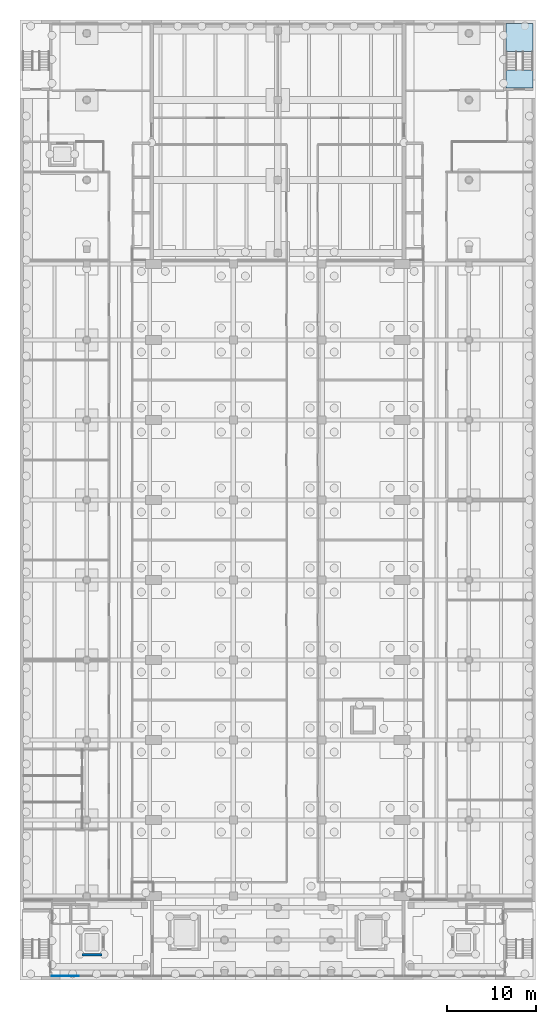
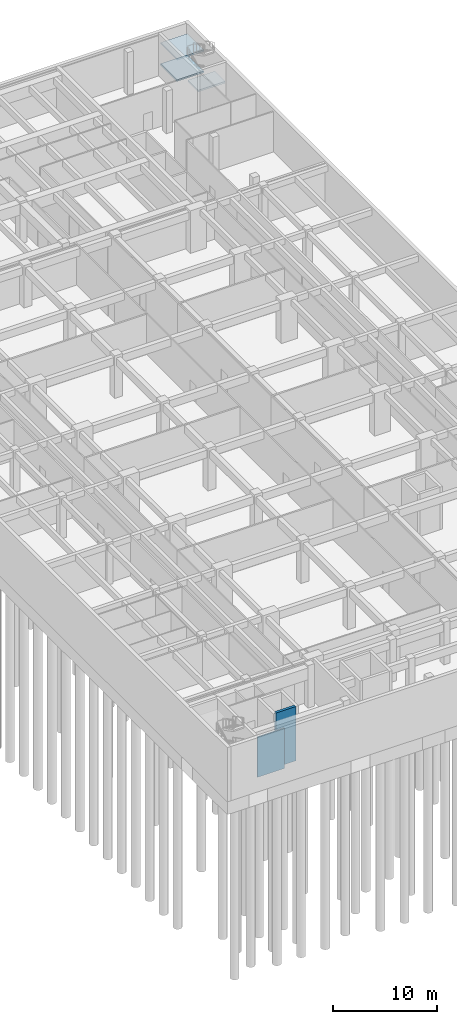
# One storey, part 7 of 19: 3 slabs, 2 walls, 1 element without a shape of its own.
"""IFC4 building model written with IfcOpenShell, lengths in metres."""

import ifcopenshell
import ifcopenshell.guid

model = None  # the IFC model being written
_history = None  # IfcOwnerHistory: only IFC2X3 demands one
_inside = {}  # id of a spatial element -> (the spatial element, [elements in it])
_under = {}  # id of a project, library or spatial element -> (it, [spatial elements below it])
_declared = {}  # id of a project -> (the project, [libraries it declares])
_typed = {}  # id of a type object -> (the type object, [elements of that type])
_made_of = {}  # id of a material, layer set ... -> (it, [elements and type objects made of it])


def new_model(schema):
    """Start an empty IFC model of exactly this schema.

    Asked for "IFC4X3", IfcOpenShell would pick the latest addendum, in which some entities
    have other attributes; the version numbers below select the first issue.
    IFC2X3 requires an IfcOwnerHistory on every rooted entity: one is made here for all.
    """
    global model, _history
    if schema == "IFC4X3":
        model = ifcopenshell.file(schema_version=(4, 3, 0, 0))
    else:
        model = ifcopenshell.file(schema=schema)
    _inside.clear()
    _under.clear()
    _declared.clear()
    _typed.clear()
    _made_of.clear()
    _history = None
    if model.schema == "IFC2X3":
        org = make("IfcOrganization", Name="unknown")
        user = make(
            "IfcPersonAndOrganization",
            ThePerson=make("IfcPerson", FamilyName="unknown"),
            TheOrganization=org,
        )
        app = make(
            "IfcApplication",
            ApplicationDeveloper=org,
            Version="unknown",
            ApplicationFullName="unknown",
            ApplicationIdentifier="unknown",
        )
        _history = make(
            "IfcOwnerHistory",
            OwningUser=user,
            OwningApplication=app,
            ChangeAction="ADDED",
            CreationDate=0,
        )
    return model


def make(cls, **values):
    """One entity of the class cls with the attributes given. An attribute that is None is left unset."""
    return model.create_entity(
        cls, **{name: value for name, value in values.items() if value is not None}
    )


def rooted(cls, **values):
    """An entity with a GlobalId (a new one), such as an element, a storey or a relation."""
    return make(cls, GlobalId=ifcopenshell.guid.new(), OwnerHistory=_history, **values)


def si_unit(unit_type, name, prefix=None):
    """IfcSIUnit, for example si_unit("LENGTHUNIT", "METRE", prefix="MILLI")."""
    return make("IfcSIUnit", UnitType=unit_type, Prefix=prefix, Name=name)


def assignment(units):
    """IfcUnitAssignment: the units of a project."""
    return None if units is None else make("IfcUnitAssignment", Units=units)


def point(xyz):
    """IfcCartesianPoint."""
    return None if xyz is None else make("IfcCartesianPoint", Coordinates=xyz)


def direction(xyz):
    """IfcDirection."""
    return None if xyz is None else make("IfcDirection", DirectionRatios=xyz)


def frame(location, z_axis=None, x_axis=None):
    """IfcAxis2Placement3D, a coordinate frame: its origin and axes. An axis left out is left unset."""
    return make(
        "IfcAxis2Placement3D",
        Location=point(location),
        Axis=direction(z_axis),
        RefDirection=direction(x_axis),
    )


def frame_2d(location, x_axis=None):
    """IfcAxis2Placement2D, a coordinate frame in the plane: its origin and x axis."""
    return make(
        "IfcAxis2Placement2D", Location=point(location), RefDirection=direction(x_axis)
    )


def origin():
    """The frame at (0, 0, 0) with its axes left unset."""
    return frame((0.0, 0.0, 0.0))


def place(relative_to, where):
    """IfcLocalPlacement: puts the frame where relative to a parent placement (None: the world)."""
    return make(
        "IfcLocalPlacement", PlacementRelTo=relative_to, RelativePlacement=where
    )


def context(
    kind, dimensions, precision=None, world=None, true_north=None, identifier=None
):
    """IfcGeometricRepresentationContext, for example the 3D "Model" context."""
    return make(
        "IfcGeometricRepresentationContext",
        ContextIdentifier=identifier,
        ContextType=kind,
        CoordinateSpaceDimension=dimensions,
        Precision=precision,
        WorldCoordinateSystem=world,
        TrueNorth=true_north,
    )


def subcontext(parent, identifier, kind, view, scale=None):
    """IfcGeometricRepresentationSubContext, for example "Body" below "Model"."""
    return make(
        "IfcGeometricRepresentationSubContext",
        ContextIdentifier=identifier,
        ContextType=kind,
        ParentContext=parent,
        TargetScale=scale,
        TargetView=view,
    )


def project(units=None, contexts=None):
    """IfcProject with its units and contexts."""
    return rooted(
        "IfcProject",
        Name="project",
        RepresentationContexts=contexts,
        UnitsInContext=assignment(units),
    )


def spatial(cls, under=None, at=None, **own):
    """A site, building, storey or space (cls), placed at a placement, below another one or the project."""
    s = rooted(cls, ObjectPlacement=at, **own)
    if under is not None:
        _under.setdefault(under.id(), (under, []))[1].append(s)
    return s


def polyline(points):
    """IfcPolyline through the points."""
    return make("IfcPolyline", Points=[point(p) for p in points])


def profile(cls, at=None, kind="AREA", **sizes):
    """A parametric profile (cls). Its sizes go by their IFC names, for example OverallWidth=200.0."""
    return make(cls, ProfileType=kind, Position=at, **sizes)


def rectangle(**sizes):
    """IfcRectangleProfileDef."""
    return profile("IfcRectangleProfileDef", **sizes)


def outline(outer, holes=None, kind="AREA"):
    """IfcArbitraryClosedProfileDef: a profile drawn as a closed curve; with holes, ...WithVoids."""
    if holes is None:
        return make("IfcArbitraryClosedProfileDef", ProfileType=kind, OuterCurve=outer)
    return make(
        "IfcArbitraryProfileDefWithVoids",
        ProfileType=kind,
        OuterCurve=outer,
        InnerCurves=holes,
    )


def extrude(swept, where, along, depth):
    """IfcExtrudedAreaSolid: the profile swept, set in the frame where, extruded along a direction by depth."""
    return make(
        "IfcExtrudedAreaSolid",
        SweptArea=swept,
        Position=where,
        ExtrudedDirection=direction(along),
        Depth=depth,
    )


def shape(context_of_items, identifier, shape_type, items):
    """IfcShapeRepresentation: the items that make up one representation, for example the "Body"."""
    return make(
        "IfcShapeRepresentation",
        ContextOfItems=context_of_items,
        RepresentationIdentifier=identifier,
        RepresentationType=shape_type,
        Items=items,
    )


def material(Name=None, Category=None):
    """IfcMaterial."""
    return make("IfcMaterial", Name=Name, Category=Category)


def layer(
    of_material, thickness, ventilated=None, Name=None, Category=None, Priority=None
):
    """IfcMaterialLayer: one layer of a wall or slab, of a material (None: an air gap)."""
    return make(
        "IfcMaterialLayer",
        Material=of_material,
        LayerThickness=thickness,
        IsVentilated=ventilated,
        Name=Name,
        Category=Category,
        Priority=Priority,
    )


def layer_set(layers, Name=None):
    """IfcMaterialLayerSet."""
    return make("IfcMaterialLayerSet", MaterialLayers=layers, LayerSetName=Name)


def made_of(thing, what):
    """Note that an element or type object is made of a material, layer set ...; save() writes the relation."""
    if what is not None:
        _made_of.setdefault(what.id(), (what, []))[1].append(thing)
    return thing


def type_object(cls, material=None, **own):
    """A type object (cls), such as IfcWallType, which elements share."""
    return made_of(rooted(cls, **own), material)


def element(
    cls,
    number,
    at=None,
    inside=None,
    cuts=None,
    type_object=None,
    material=None,
    context=None,
    identifier="Body",
    shape_type=None,
    held_by="IfcProductDefinitionShape",
    body=None,
    shapes=None,
    **own,
):
    """One element of the class cls, such as IfcWall. Its Tag is "e" and its number.

    at: its placement. inside: the storey or other place that contains it. cuts: it is an
    opening in that element (IfcRelVoidsElement). A single representation is given by context,
    identifier, shape_type and body (its items); several are given by shapes. held_by: the class
    of the entity that holds the representations. save() writes the other relations.
    """
    e = rooted(cls, Tag="e%d" % number, ObjectPlacement=at, **own)
    if body is not None:
        shapes = [shape(context, identifier, shape_type, body)]
    if shapes is not None:
        e.Representation = make(held_by, Representations=shapes)
    if inside is not None:
        _inside.setdefault(inside.id(), (inside, []))[1].append(e)
    if cuts is not None:
        rooted(
            "IfcRelVoidsElement", RelatingBuildingElement=cuts, RelatedOpeningElement=e
        )
    if type_object is not None:
        _typed.setdefault(type_object.id(), (type_object, []))[1].append(e)
    return made_of(e, material)


def aggregate(whole, parts):
    """IfcRelAggregates: a whole, such as a stair, and the parts it consists of."""
    return rooted("IfcRelAggregates", RelatingObject=whole, RelatedObjects=parts)


def save(model, path):
    """Write the relations noted so far, then the file.

    IfcRelAggregates (storeys below a building ...), IfcRelContainedInSpatialStructure (elements
    in a storey), IfcRelDefinesByType, IfcRelAssociatesMaterial and IfcRelDeclares: one each for
    every whole, place, type object, material and project.
    """
    for whole, parts in _under.values():
        aggregate(whole, parts)
    for where, things in _inside.values():
        rooted(
            "IfcRelContainedInSpatialStructure",
            RelatedElements=things,
            RelatingStructure=where,
        )
    for kind, things in _typed.values():
        rooted("IfcRelDefinesByType", RelatedObjects=things, RelatingType=kind)
    for what, things in _made_of.values():
        rooted("IfcRelAssociatesMaterial", RelatedObjects=things, RelatingMaterial=what)
    for by, libraries in _declared.values():
        rooted("IfcRelDeclares", RelatingContext=by, RelatedDefinitions=libraries)
    model.write(path)


model = new_model("IFC4")

# Units and contexts
model_context = context("Model", 3, precision=1e-05, world=origin(), true_north=direction((0.0, 1.0)))
body_context = subcontext(model_context, "Body", "Model", "MODEL_VIEW")
ifc_project = project(units=[si_unit("LENGTHUNIT", "METRE"), si_unit("AREAUNIT", "SQUARE_METRE"), si_unit("VOLUMEUNIT", "CUBIC_METRE"), si_unit("PLANEANGLEUNIT", "RADIAN"), si_unit("MASSUNIT", "GRAM", prefix="KILO")], contexts=[model_context])

# Site, building, storey
site_placement = place(None, origin())
site = spatial("IfcSite", under=ifc_project, at=site_placement, CompositionType="ELEMENT")
building_placement = place(site_placement, origin())
building = spatial("IfcBuilding", under=site, at=building_placement, Name="Elmora Arch Market Hall", CompositionType="ELEMENT")
storey_placement = place(building_placement, frame((0.0, 0.0, -10.0)))
storey = spatial("IfcBuildingStorey", under=building, at=storey_placement, Name="B1", CompositionType="ELEMENT", Elevation=-10.0)

# Stair, slabs
ifc_material_1 = material(Name="Concrete C40/50", Category="concrete")
stair_type = type_object("IfcStairType", Name="Exit stair 1200", PredefinedType="TWO_STRAIGHT_RUN_STAIR", material=ifc_material_1)
stair_placement = place(storey_placement, origin())
stair = element("IfcStair", 1, at=stair_placement, inside=storey, type_object=stair_type, Name="Stair ST-E B1", PredefinedType="TWO_STRAIGHT_RUN_STAIR")
ifc_material_2 = material(Name="Concrete C32/40", Category="concrete")
ifc_layer_1 = layer(ifc_material_2, 0.199951171875)
ifc_layer_set_1 = layer_set([ifc_layer_1], Name="Concrete C32/40")
slab_type = type_object("IfcSlabType", Name="Stair landing 200", PredefinedType="LANDING", material=ifc_layer_set_1)
slab_1_placement = place(storey_placement, frame((0.0, 0.0, 1.050048828125)))
slab_1 = element("IfcSlab", 2, at=slab_1_placement, type_object=slab_type, Name="Stair ST-E B1 landing 1", PredefinedType="LANDING", context=body_context, shape_type="SweptSolid", body=[
    extrude(outline(polyline([(54.699951171875, 122.449951171875), (57.699951171875, 122.449951171875), (57.699951171875, 125.60009765625), (54.699951171875, 125.60009765625), (54.699951171875, 122.449951171875)])), origin(), (0.0, 0.0, 1.0), 0.199951171875),
])
slab_2_placement = place(storey_placement, frame((0.0, 0.0, 2.300048828125)))
slab_2 = element("IfcSlab", 3, at=slab_2_placement, type_object=slab_type, Name="Stair ST-E B1 landing 2", PredefinedType="LANDING", context=body_context, shape_type="SweptSolid", body=[
    extrude(outline(polyline([(54.699951171875, 118.35009765625), (57.699951171875, 118.35009765625), (57.699951171875, 120.35009765625), (54.699951171875, 120.35009765625), (54.699951171875, 118.35009765625)])), origin(), (0.0, 0.0, 1.0), 0.199951171875),
])
slab_3_placement = place(storey_placement, frame((0.0, 0.0, 3.550048828125)))
slab_3 = element("IfcSlab", 4, at=slab_3_placement, type_object=slab_type, Name="Stair ST-E B1 landing 3", PredefinedType="LANDING", context=body_context, shape_type="SweptSolid", body=[
    extrude(outline(polyline([(54.699951171875, 122.449951171875), (57.699951171875, 122.449951171875), (57.699951171875, 125.60009765625), (54.699951171875, 125.60009765625), (54.699951171875, 122.449951171875)])), origin(), (0.0, 0.0, 1.0), 0.199951171875),
])
aggregate(stair, [slab_1, slab_2, slab_3])

# Walls
ifc_material_3 = material(Name="Concrete C40/50", Category="concrete")
ifc_layer_2 = layer(ifc_material_3, 0.300048828125)
ifc_layer_set_2 = layer_set([ifc_layer_2], Name="Concrete C40/50")
wall_type_1 = type_object("IfcWallType", Name="Lift shaft wall 300", PredefinedType="SHEAR", material=ifc_layer_set_2)
wall_1_placement = place(storey_placement, frame((7.0, 20.85009765625, -1.39990234375), z_axis=(0.0, 0.0, 1.0), x_axis=(1.0, 0.0, 0.0)))
element("IfcWall", 5, at=wall_1_placement, inside=storey, type_object=wall_type_1, Name="Lift shaft wall WL1 S B1", PredefinedType="SHEAR", context=body_context, shape_type="SweptSolid", body=[
    extrude(rectangle(XDim=2.199951171875, YDim=0.300048828125, at=frame_2d((1.10009765625, 0.0))), origin(), (0.0, 0.0, 1.0), 6.39990234375),
])
ifc_material_4 = material(Name="Gypsum board on metal studs")
ifc_layer_3 = layer(ifc_material_4, 0.10009765625)
ifc_layer_set_3 = layer_set([ifc_layer_3], Name="Gypsum board on metal studs")
wall_type_2 = type_object("IfcWallType", Name="Partition 100", PredefinedType="PARTITIONING", material=ifc_layer_set_3)
wall_2_placement = place(storey_placement, frame((3.60009765625, 18.449951171875, 0.0), z_axis=(0.0, 0.0, 1.0), x_axis=(1.0, 0.0, 0.0)))
element("IfcWall", 6, at=wall_2_placement, inside=storey, type_object=wall_type_2, Name="Partition PT-B1-001", PredefinedType="PARTITIONING", context=body_context, shape_type="SweptSolid", body=[
    extrude(rectangle(XDim=3.010009765625, YDim=0.10009765625, at=frame_2d((1.5048828125, 0.0))), origin(), (0.0, 0.0, 1.0), 4.75),
])

save(model, "model.ifc")
